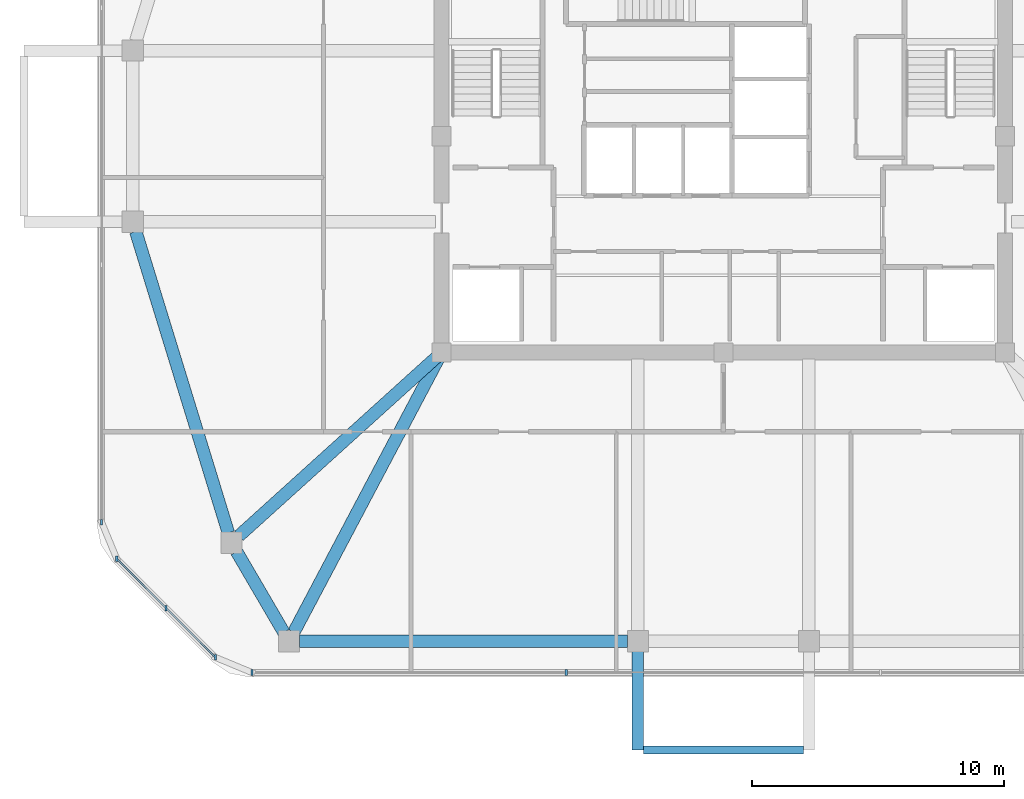
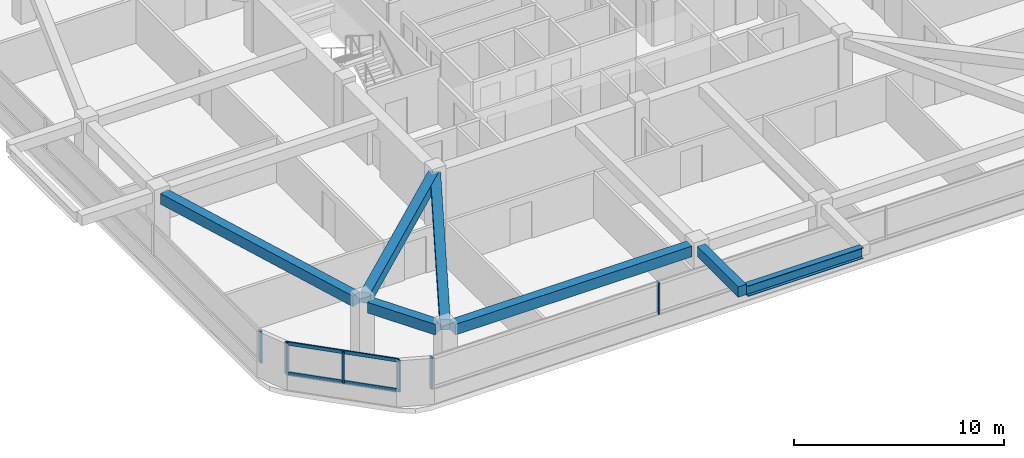
# One storey, part 2 of 14: 8 members, 7 beams, 3 elements without a shape of their own.
"""IFC4 building model written with IfcOpenShell, lengths in metres."""

from ifc_helpers import new_model, si_unit, derived_unit, direction, frame, origin, origin_2d, place, context, subcontext, project, spatial, rectangle, i_section, extrude, material, material_profile, profile_set, type_object, element, aggregate, save


model = new_model("IFC4")

# Units and contexts
model_context = context("Model", 3, precision=1e-05, world=origin(), true_north=direction((0.0, 1.0)))
body_context = subcontext(model_context, "Body", "Model", "MODEL_VIEW")
ifc_project = project(units=[si_unit("LENGTHUNIT", "METRE"), si_unit("AREAUNIT", "SQUARE_METRE"), si_unit("VOLUMEUNIT", "CUBIC_METRE"), si_unit("PLANEANGLEUNIT", "RADIAN"), si_unit("MASSUNIT", "GRAM", prefix="KILO"), derived_unit("THERMALTRANSMITTANCEUNIT", [(si_unit("POWERUNIT", "WATT"), 1), (si_unit("LENGTHUNIT", "METRE"), -2), (si_unit("THERMODYNAMICTEMPERATUREUNIT", "KELVIN"), -1)])], contexts=[model_context])

# Site, building, storey
site_placement = place(None, origin())
site = spatial("IfcSite", under=ifc_project, at=site_placement, CompositionType="ELEMENT")
building_placement = place(site_placement, origin())
building = spatial("IfcBuilding", under=site, at=building_placement, Name="Koralith Skygarden Medical Center", CompositionType="ELEMENT")
storey_placement = place(building_placement, frame((0.0, 0.0, 275.219970703125)))
storey = spatial("IfcBuildingStorey", under=building, at=storey_placement, Name="L71", CompositionType="ELEMENT", Elevation=275.219970703125)

# Curtain wall, members
ifc_material_1 = material(Name="Clear Laminated Glass", Category="glass")
curtain_wall_type = type_object("IfcCurtainWallType", Name="CW-6 Zone 5 Upper Clinical Curtain Wall", PredefinedType="NOTDEFINED", material=ifc_material_1)
curtain_wall_1_placement = place(storey_placement, origin())
curtain_wall_1 = element("IfcCurtainWall", 1, at=curtain_wall_1_placement, inside=storey, type_object=curtain_wall_type, Name="Curtain Wall CW-L71-S", PredefinedType="NOTDEFINED")
ifc_material_2 = material(Name="Aluminium 6063-T6", Category="aluminium")
ifc_material_profile_1 = material_profile(ifc_material_2, rectangle(XDim=0.0830078125, YDim=0.219970703125, at=origin_2d()), Name="MUL83X220")
ifc_profile_set_1 = profile_set([ifc_material_profile_1], Name="Aluminium 6063-T6")
member_type_1 = type_object("IfcMemberType", Name="CW-6 Extruded Mullion 83x220", PredefinedType="MULLION", material=ifc_profile_set_1)
member_1_placement = place(storey_placement, frame((18.2548828125, 4.580078125, 0.85009765625), z_axis=(0.0, 0.0, 1.0), x_axis=(1.0, 0.0, 0.0)))
member_1 = element("IfcMember", 2, at=member_1_placement, type_object=member_type_1, Name="CW-L71-S Mullion 1", PredefinedType="MULLION", context=body_context, shape_type="SweptSolid", body=[
    extrude(rectangle(XDim=0.0830078125, YDim=0.219970703125, at=origin_2d()), origin(), (0.0, 0.0, 1.0), 1.83984375),
])
member_2_placement = place(storey_placement, frame((30.751953125, 4.580078125, 0.85009765625), z_axis=(0.0, 0.0, 1.0), x_axis=(1.0, 0.0, 0.0)))
member_2 = element("IfcMember", 3, at=member_2_placement, type_object=member_type_1, Name="CW-L71-S Mullion 2", PredefinedType="MULLION", context=body_context, shape_type="SweptSolid", body=[
    extrude(rectangle(XDim=0.0830078125, YDim=0.219970703125, at=origin_2d()), origin(), (0.0, 0.0, 1.0), 1.83984375),
])
aggregate(curtain_wall_1, [member_1, member_2])

# Curtain wall, member
curtain_wall_2_placement = place(storey_placement, origin())
curtain_wall_2 = element("IfcCurtainWall", 4, at=curtain_wall_2_placement, inside=storey, type_object=curtain_wall_type, Name="Curtain Wall CW-L71-W", PredefinedType="NOTDEFINED")
member_3_placement = place(storey_placement, frame((12.280029296875, 10.554931640625, 0.85009765625), z_axis=(0.0, 0.0, 1.0), x_axis=(1.0, 0.0, 0.0)))
member_3 = element("IfcMember", 5, at=member_3_placement, type_object=member_type_1, Name="CW-L71-W Mullion 4", PredefinedType="MULLION", context=body_context, shape_type="SweptSolid", body=[
    extrude(rectangle(XDim=0.0830078125, YDim=0.219970703125, at=origin_2d()), origin(), (0.0, 0.0, 1.0), 1.83984375),
])
aggregate(curtain_wall_2, [member_3])

# Curtain wall, members
curtain_wall_3_placement = place(storey_placement, origin())
curtain_wall_3 = element("IfcCurtainWall", 6, at=curtain_wall_3_placement, inside=storey, type_object=curtain_wall_type, Name="Curtain Wall CW-L71-SW", PredefinedType="NOTDEFINED")
member_4_placement = place(storey_placement, frame((12.881103515625, 9.10400390625, 0.85009765625), z_axis=(0.0, 0.0, 1.0), x_axis=(1.0, 0.0, 0.0)))
member_4 = element("IfcMember", 7, at=member_4_placement, type_object=member_type_1, Name="CW-L71-SW Mullion 1", PredefinedType="MULLION", context=body_context, shape_type="SweptSolid", body=[
    extrude(rectangle(XDim=0.0830078125, YDim=0.219970703125, at=origin_2d()), origin(), (0.0, 0.0, 1.0), 1.83984375),
])
member_5_placement = place(storey_placement, frame((14.842041015625, 7.14306640625, 0.85009765625), z_axis=(0.0, 0.0, 1.0), x_axis=(1.0, 0.0, 0.0)))
member_5 = element("IfcMember", 8, at=member_5_placement, type_object=member_type_1, Name="CW-L71-SW Mullion 2", PredefinedType="MULLION", context=body_context, shape_type="SweptSolid", body=[
    extrude(rectangle(XDim=0.0830078125, YDim=0.219970703125, at=origin_2d()), origin(), (0.0, 0.0, 1.0), 1.83984375),
])
member_6_placement = place(storey_placement, frame((16.803955078125, 5.180908203125, 0.85009765625), z_axis=(0.0, 0.0, 1.0), x_axis=(1.0, 0.0, 0.0)))
member_6 = element("IfcMember", 9, at=member_6_placement, type_object=member_type_1, Name="CW-L71-SW Mullion 3", PredefinedType="MULLION", context=body_context, shape_type="SweptSolid", body=[
    extrude(rectangle(XDim=0.0830078125, YDim=0.219970703125, at=origin_2d()), origin(), (0.0, 0.0, 1.0), 1.83984375),
])
ifc_material_profile_2 = material_profile(ifc_material_2, rectangle(XDim=0.077880859375, YDim=0.197998046875, at=origin_2d()), Name="TRN78X198")
ifc_profile_set_2 = profile_set([ifc_material_profile_2], Name="Aluminium 6063-T6")
member_type_2 = type_object("IfcMemberType", Name="CW-6 Thermal Transom 78x198", PredefinedType="USERDEFINED", material=ifc_profile_set_2)
member_7_placement = place(storey_placement, frame((12.881103515625, 9.10400390625, 0.900146484375), z_axis=(0.707084777957, -0.707128783731, 0.0), x_axis=(0.707128783731, 0.707084777957, 0.0)))
member_7 = element("IfcMember", 10, at=member_7_placement, type_object=member_type_2, Name="CW-L71-SW Transom 1", ObjectType="TRANSOM", PredefinedType="USERDEFINED", context=body_context, shape_type="SweptSolid", body=[
    extrude(rectangle(XDim=0.077880859375, YDim=0.197998046875, at=origin_2d()), origin(), (0.0, 0.0, 1.0), 5.5478515625),
])
member_8_placement = place(storey_placement, frame((12.881103515625, 9.10400390625, 2.64013671875), z_axis=(0.707084777957, -0.707128783731, 0.0), x_axis=(0.707128783731, 0.707084777957, 0.0)))
member_8 = element("IfcMember", 11, at=member_8_placement, type_object=member_type_2, Name="CW-L71-SW Transom 2", ObjectType="TRANSOM", PredefinedType="USERDEFINED", context=body_context, shape_type="SweptSolid", body=[
    extrude(rectangle(XDim=0.077880859375, YDim=0.197998046875, at=origin_2d()), origin(), (0.0, 0.0, 1.0), 5.5478515625),
])
aggregate(curtain_wall_3, [member_4, member_5, member_6, member_7, member_8])

# Beams
ifc_material_3 = material(Name="Steel ASTM A992 Grade 50", Category="steel")
ifc_material_profile_3 = material_profile(ifc_material_3, i_section(OverallWidth=0.326904296875, OverallDepth=0.6220703125, WebThickness=0.015380859375, FlangeThickness=0.0244140625, at=origin_2d()), Name="W24X131")
ifc_profile_set_3 = profile_set([ifc_material_profile_3], Name="Steel ASTM A992 Grade 50")
beam_type_1 = type_object("IfcBeamType", Name="Cantilever Tie Beam W24X131", PredefinedType="BEAM", material=ifc_profile_set_3)
beam_1_placement = place(storey_placement, frame((33.820068359375, 1.5, 3.029052734375), z_axis=(1.0, 0.0, 0.0), x_axis=(0.0, 1.0, 0.0)))
element("IfcBeam", 12, at=beam_1_placement, inside=storey, type_object=beam_type_1, Name="L72 S Balcony Tip Tie Beam", PredefinedType="BEAM", context=body_context, shape_type="SweptSolid", body=[
    extrude(i_section(OverallWidth=0.326904296875, OverallDepth=0.6220703125, WebThickness=0.015380859375, FlangeThickness=0.0244140625, at=origin_2d()), origin(), (0.0, 0.0, 1.0), 6.35986328125),
])
ifc_material_4 = material(Name="Concrete C45/55", Category="concrete")
ifc_material_profile_4 = material_profile(ifc_material_4, rectangle(XDim=0.449951171875, YDim=0.60009765625, at=origin_2d()), Name="RCB450X600")
ifc_profile_set_4 = profile_set([ifc_material_profile_4], Name="Concrete C45/55")
beam_type_2 = type_object("IfcBeamType", Name="Planted Balcony Cantilever Beam RCB450X600", PredefinedType="BEAM", material=ifc_profile_set_4)
beam_2_placement = place(storey_placement, frame((33.60009765625, 5.419921875, 3.0400390625), z_axis=(0.0, -1.0, 0.0), x_axis=(1.0, 0.0, 0.0)))
element("IfcBeam", 13, at=beam_2_placement, inside=storey, type_object=beam_type_2, Name="L72 S Balcony Cantilever Beam A", PredefinedType="BEAM", context=body_context, shape_type="SweptSolid", body=[
    extrude(rectangle(XDim=0.449951171875, YDim=0.60009765625, at=origin_2d()), origin(), (0.0, 0.0, 1.0), 3.919921875),
])
ifc_material_profile_5 = material_profile(ifc_material_4, rectangle(XDim=0.5, YDim=0.6201171875, at=origin_2d()), Name="RCB500X620")
ifc_profile_set_5 = profile_set([ifc_material_profile_5], Name="Concrete C45/55")
beam_type_3 = type_object("IfcBeamType", Name="Upper Radial Collector Beam RCB500X620", PredefinedType="BEAM", material=ifc_profile_set_5)
beam_3_placement = place(storey_placement, frame((25.614990234375, 17.132080078125, 3.010009765625), z_axis=(-0.741736323186, -0.670691603397, 0.0), x_axis=(0.670691603397, -0.741736323186, 0.0)))
element("IfcBeam", 14, at=beam_3_placement, inside=storey, type_object=beam_type_3, Name="L71 Radial Collector Beam RB-02", PredefinedType="BEAM", context=body_context, shape_type="SweptSolid", body=[
    extrude(rectangle(XDim=0.5, YDim=0.6201171875, at=origin_2d()), origin(), (0.0, 0.0, 1.0), 10.61181640625),
])
beam_4_placement = place(storey_placement, frame((25.68310546875, 17.0791015625, 3.010009765625), z_axis=(-0.46724871287, -0.884125918816, 0.0), x_axis=(0.884125918816, -0.46724871287, 0.0)))
element("IfcBeam", 15, at=beam_4_placement, inside=storey, type_object=beam_type_3, Name="L71 Radial Collector Beam RB-03", PredefinedType="BEAM", context=body_context, shape_type="SweptSolid", body=[
    extrude(rectangle(XDim=0.5, YDim=0.6201171875, at=origin_2d()), origin(), (0.0, 0.0, 1.0), 12.325439453125),
])
ifc_material_profile_6 = material_profile(ifc_material_4, rectangle(XDim=0.5, YDim=0.6201171875, at=origin_2d()), Name="RCB500X620")
ifc_profile_set_6 = profile_set([ifc_material_profile_6], Name="Concrete C45/55")
beam_type_4 = type_object("IfcBeamType", Name="Zone 4-5 Spandrel Beam RCB500X620", PredefinedType="SPANDREL", material=ifc_profile_set_6)
beam_5_placement = place(storey_placement, frame((13.639892578125, 22.10791015625, 3.010009765625), z_axis=(0.293743494914, -0.955884281279, 0.0), x_axis=(0.955884281279, 0.293743494914, 0.0)))
element("IfcBeam", 16, at=beam_5_placement, inside=storey, type_object=beam_type_4, Name="L71 Perimeter Spandrel Beam SP-01", PredefinedType="SPANDREL", context=body_context, shape_type="SweptSolid", body=[
    extrude(rectangle(XDim=0.5, YDim=0.6201171875, at=origin_2d()), origin(), (0.0, 0.0, 1.0), 12.528564453125),
])
beam_6_placement = place(storey_placement, frame((17.64697265625, 9.385986328125, 3.010009765625), z_axis=(0.50473571007, -0.863273921175, 0.0), x_axis=(0.863273921175, 0.50473571007, 0.0)))
element("IfcBeam", 17, at=beam_6_placement, inside=storey, type_object=beam_type_4, Name="L71 Perimeter Spandrel Beam SP-02", PredefinedType="SPANDREL", context=body_context, shape_type="SweptSolid", body=[
    extrude(rectangle(XDim=0.5, YDim=0.6201171875, at=origin_2d()), origin(), (0.0, 0.0, 1.0), 3.720703125),
])
beam_7_placement = place(storey_placement, frame((20.14208984375, 5.820068359375, 3.010009765625), z_axis=(1.0, 0.0, 0.0), x_axis=(0.0, 1.0, 0.0)))
element("IfcBeam", 18, at=beam_7_placement, inside=storey, type_object=beam_type_4, Name="L71 Perimeter Spandrel Beam SP-03", PredefinedType="SPANDREL", context=body_context, shape_type="SweptSolid", body=[
    extrude(rectangle(XDim=0.5, YDim=0.6201171875, at=origin_2d()), origin(), (0.0, 0.0, 1.0), 13.0478515625),
])

save(model, "model.ifc")
